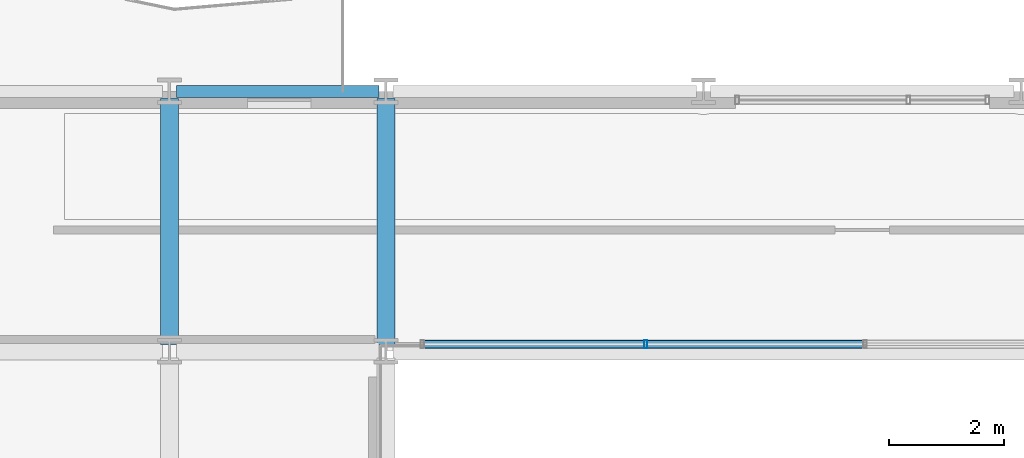
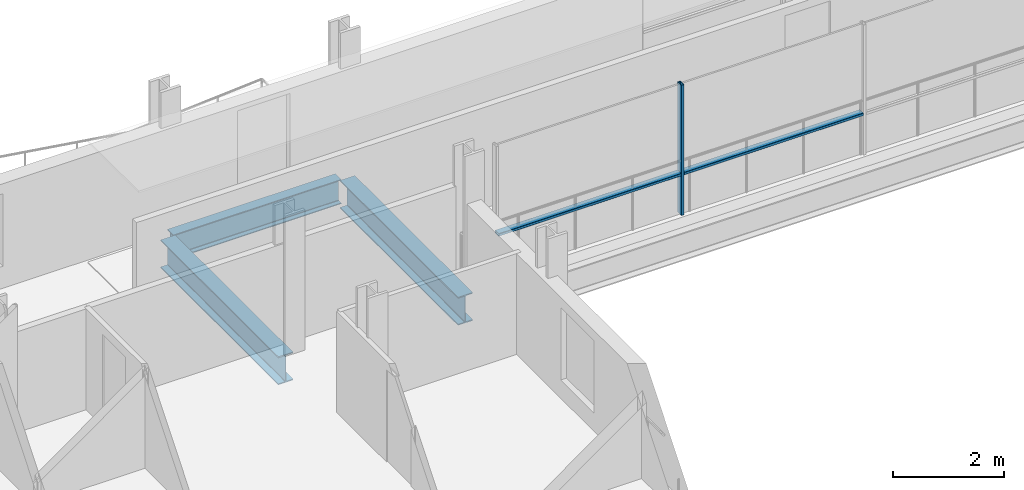
# One storey, part 9 of 39: 3 beams, 3 members, 1 element without a shape of its own.
"""IFC4 building model written with IfcOpenShell, lengths in metres."""

from ifc_helpers import new_model, si_unit, direction, frame, origin, origin_2d, place, context, subcontext, project, spatial, hollow_rectangle, i_section, extrude, material, layer, layer_set, material_profile, profile_set, type_object, element, aggregate, save


model = new_model("IFC4")

# Units and contexts
model_context = context("Model", 3, precision=1e-05, world=origin(), true_north=direction((0.0, 1.0)))
body_context = subcontext(model_context, "Body", "Model", "MODEL_VIEW")
ifc_project = project(units=[si_unit("LENGTHUNIT", "METRE"), si_unit("AREAUNIT", "SQUARE_METRE"), si_unit("VOLUMEUNIT", "CUBIC_METRE"), si_unit("PLANEANGLEUNIT", "RADIAN"), si_unit("MASSUNIT", "GRAM", prefix="KILO")], contexts=[model_context])

# Site, building, storey
site_placement = place(None, origin())
site = spatial("IfcSite", under=ifc_project, at=site_placement, CompositionType="ELEMENT")
building_placement = place(site_placement, origin())
building = spatial("IfcBuilding", under=site, at=building_placement, Name="Brevholm Reach", CompositionType="ELEMENT")
storey_placement = place(building_placement, frame((0.0, 0.0, 90.0)))
storey = spatial("IfcBuildingStorey", under=building, at=storey_placement, Name="L26", CompositionType="ELEMENT", Elevation=90.0)

# Beams
ifc_material_1 = material(Name="Structural Steel S355J2", Category="steel")
ifc_material_profile_1 = material_profile(ifc_material_1, i_section(OverallWidth=0.210693359375, OverallDepth=0.53955078125, WebThickness=0.01171875, FlangeThickness=0.018798828125, FilletRadius=0.0126953125, at=origin_2d()), Name="UKB 533x210x109")
ifc_profile_set_1 = profile_set([ifc_material_profile_1], Name="Structural Steel S355J2")
beam_type_1 = type_object("IfcBeamType", Name="BM-SP539", PredefinedType="SPANDREL", material=ifc_profile_set_1)
beam_placement = place(storey_placement, frame((18.1201171875, 31.0, -0.499755859375), z_axis=(1.0, 0.0, 0.0), x_axis=(0.0, 1.0, 0.0)))
element("IfcBeam", 1, at=beam_placement, inside=storey, type_object=beam_type_1, Name="L26 SP-01B Framing Beam", PredefinedType="SPANDREL", context=body_context, shape_type="SweptSolid", body=[
    extrude(i_section(OverallWidth=0.210693359375, OverallDepth=0.53955078125, WebThickness=0.01171875, FlangeThickness=0.018798828125, FilletRadius=0.0126953125, at=origin_2d()), origin(), (0.0, 0.0, 1.0), 3.509765625),
])
ifc_material_2 = material(Name="Structural Steel S355J2", Category="steel")
ifc_material_profile_2 = material_profile(ifc_material_2, i_section(OverallWidth=0.30712890625, OverallDepth=0.6201171875, WebThickness=0.01416015625, FlangeThickness=0.023681640625, FilletRadius=0.0166015625, at=origin_2d()), Name="UKB 610x305x179")
ifc_profile_set_2 = profile_set([ifc_material_profile_2], Name="Structural Steel S355J2")
beam_type_2 = type_object("IfcBeamType", Name="BM-UKB610H", PredefinedType="USERDEFINED", material=ifc_profile_set_2)
for number, where, z_axis, x_axis, name in (
    (2, (18.0, 26.6201171875, -0.5400390625), (0.0, 1.0, 0.0), (-1.0, 0.0, 0.0), "L26 G-06 Framing Beam"),
    (3, (21.75, 26.6201171875, -0.5400390625), (0.0, 1.0, 0.0), (-1.0, 0.0, 0.0), "L26 G-06 Framing Beam"),
):
    element("IfcBeam", number, at=place(storey_placement, frame(where, z_axis=z_axis, x_axis=x_axis)), inside=storey, type_object=beam_type_2, Name=name, ObjectType="GIRDER", PredefinedType="USERDEFINED", context=body_context, shape_type="SweptSolid", body=[
        extrude(i_section(OverallWidth=0.30712890625, OverallDepth=0.6201171875, WebThickness=0.01416015625, FlangeThickness=0.023681640625, FilletRadius=0.0166015625, at=origin_2d()), origin(), (0.0, 0.0, 1.0), 4.259765625),
    ])

# Curtain wall, members
ifc_material_3 = material(Name="Dark Anodised Aluminium 6063-T6 and Solar-Control Glass", Category="aluminium")
ifc_layer = layer(ifc_material_3, 0.139892578125)
ifc_layer_set = layer_set([ifc_layer], Name="Dark Anodised Aluminium 6063-T6 and Solar-Control Glass")
curtain_wall_type = type_object("IfcCurtainWallType", Name="CW-02", PredefinedType="NOTDEFINED", material=ifc_layer_set)
curtain_wall_placement = place(storey_placement, origin())
curtain_wall = element("IfcCurtainWall", 4, at=curtain_wall_placement, inside=storey, type_object=curtain_wall_type, Name="L26 Curtain Wall CW-02", PredefinedType="NOTDEFINED")
ifc_material_4 = material(Name="Dark Anodised Aluminium 6063-T6", Category="aluminium")
ifc_material_profile_3 = material_profile(ifc_material_4, hollow_rectangle(XDim=0.06005859375, YDim=0.139892578125, WallThickness=0.0048828125, InnerFilletRadius=0.0048828125, OuterFilletRadius=0.010009765625, at=origin_2d()), Name="RHS 140x60x5")
ifc_profile_set_3 = profile_set([ifc_material_profile_3], Name="Dark Anodised Aluminium 6063-T6")
member_type_1 = type_object("IfcMemberType", Name="CWM-140", PredefinedType="MULLION", material=ifc_profile_set_3)
member_1_placement = place(storey_placement, frame((26.25, 26.6201171875, 0.0), z_axis=(0.0, 0.0, 1.0), x_axis=(-1.0, 0.0, 0.0)))
member_1 = element("IfcMember", 5, at=member_1_placement, type_object=member_type_1, Name="CM-140 Mullion 4", PredefinedType="MULLION", context=body_context, shape_type="SweptSolid", body=[
    extrude(hollow_rectangle(XDim=0.06005859375, YDim=0.139892578125, WallThickness=0.0048828125, InnerFilletRadius=0.0048828125, OuterFilletRadius=0.010009765625, at=origin_2d()), origin(), (0.0, 0.0, 1.0), 2.8701171875),
])
ifc_material_5 = material(Name="Dark Anodised Aluminium 6063-T6", Category="aluminium")
ifc_material_profile_4 = material_profile(ifc_material_5, hollow_rectangle(XDim=0.06005859375, YDim=0.139892578125, WallThickness=0.0048828125, InnerFilletRadius=0.0048828125, OuterFilletRadius=0.010009765625, at=origin_2d()), Name="RHS 140x60x5")
ifc_profile_set_4 = profile_set([ifc_material_profile_4], Name="Dark Anodised Aluminium 6063-T6")
member_type_2 = type_object("IfcMemberType", Name="CWT-140", PredefinedType="NOTDEFINED", material=ifc_profile_set_4)
member_2_placement = place(storey_placement, frame((30.02001953125, 26.6201171875, 0.89990234375), z_axis=(-1.0, 0.0, 0.0), x_axis=(0.0, 0.0, 1.0)))
member_2 = element("IfcMember", 6, at=member_2_placement, type_object=member_type_2, Name="CT-140 Transom 3.1", ObjectType="TRANSOM", PredefinedType="USERDEFINED", context=body_context, shape_type="SweptSolid", body=[
    extrude(hollow_rectangle(XDim=0.06005859375, YDim=0.139892578125, WallThickness=0.0048828125, InnerFilletRadius=0.0048828125, OuterFilletRadius=0.010009765625, at=origin_2d()), origin(), (0.0, 0.0, 1.0), 3.739990234375),
])
member_3_placement = place(storey_placement, frame((26.219970703125, 26.6201171875, 0.89990234375), z_axis=(-1.0, 0.0, 0.0), x_axis=(0.0, 0.0, 1.0)))
member_3 = element("IfcMember", 7, at=member_3_placement, type_object=member_type_2, Name="CT-140 Transom 4.1", ObjectType="TRANSOM", PredefinedType="USERDEFINED", context=body_context, shape_type="SweptSolid", body=[
    extrude(hollow_rectangle(XDim=0.06005859375, YDim=0.139892578125, WallThickness=0.0048828125, InnerFilletRadius=0.0048828125, OuterFilletRadius=0.010009765625, at=origin_2d()), origin(), (0.0, 0.0, 1.0), 3.81005859375),
])
aggregate(curtain_wall, [member_1, member_2, member_3])

save(model, "model.ifc")
